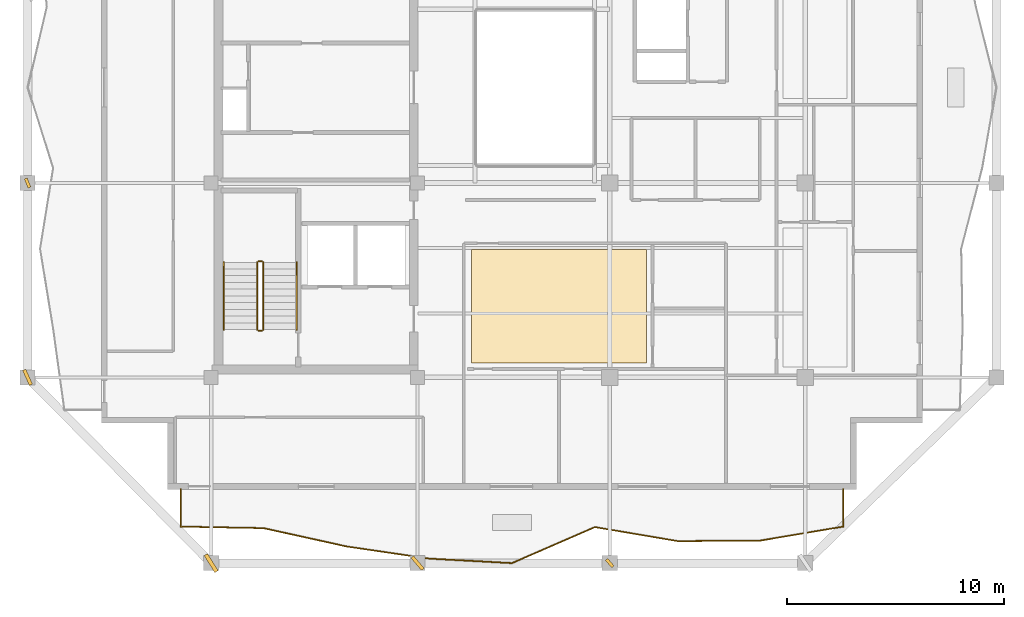
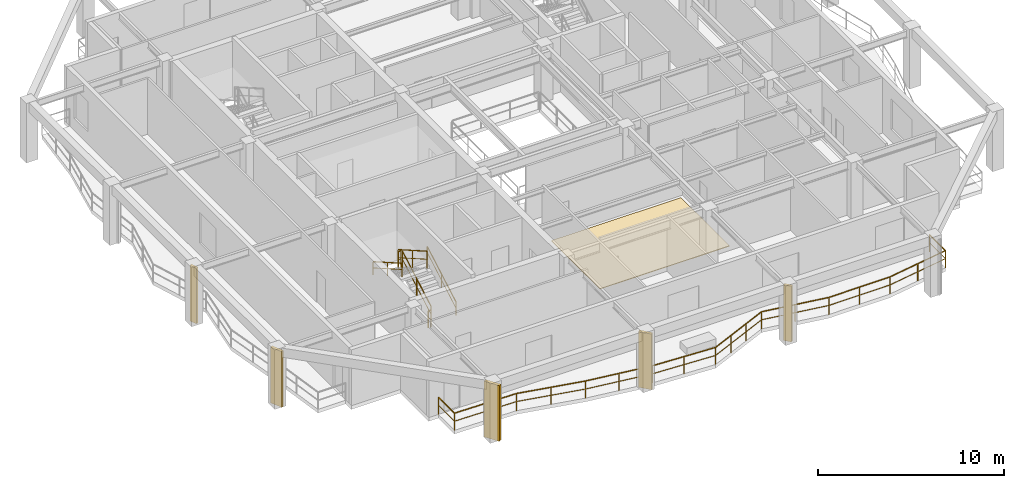
# One storey, part 7 of 10: 7 railings, 5 shading devices, 1 covering.
"""IFC4 building model written with IfcOpenShell, lengths in metres."""

from ifc_helpers import new_model, si_unit, direction, frame, origin, origin_2d, place, context, subcontext, project, spatial, polyline, rectangle, outline, extrude, material, layer, layer_set, type_object, element, save


model = new_model("IFC4")

# Units and contexts
model_context = context("Model", 3, precision=1e-05, world=origin(), true_north=direction((0.0, 1.0)))
body_context = subcontext(model_context, "Body", "Model", "MODEL_VIEW")
ifc_project = project(units=[si_unit("LENGTHUNIT", "METRE"), si_unit("AREAUNIT", "SQUARE_METRE"), si_unit("VOLUMEUNIT", "CUBIC_METRE"), si_unit("PLANEANGLEUNIT", "RADIAN"), si_unit("MASSUNIT", "GRAM", prefix="KILO")], contexts=[model_context])

# Site, building, storey
site_placement = place(None, origin())
site = spatial("IfcSite", under=ifc_project, at=site_placement, CompositionType="ELEMENT")
building_placement = place(site_placement, origin())
building = spatial("IfcBuilding", under=site, at=building_placement, Name="Kundavana Baori Tower", CompositionType="ELEMENT")
storey_placement = place(building_placement, frame((0.0, 0.0, 280.39990234375)))
storey = spatial("IfcBuildingStorey", under=building, at=storey_placement, Name="L69", CompositionType="ELEMENT", Elevation=280.39990234375)

# Covering
ifc_material_1 = material(Name="Honed Kota Stone and Terrazzo Flooring", Category="masonry")
ifc_layer = layer(ifc_material_1, 0.0400390625, Name="COV-FLR-TERR-40")
ifc_layer_set = layer_set([ifc_layer], Name="Honed Kota Stone and Terrazzo Flooring")
covering_type = type_object("IfcCoveringType", Name="COV-FLR-TERR-40", PredefinedType="FLOORING", material=ifc_layer_set)
covering_placement = place(storey_placement, origin())
element("IfcCovering", 1, at=covering_placement, inside=storey, type_object=covering_type, Name="L69 Room Finished Stone Flooring 1", PredefinedType="FLOORING", context=body_context, shape_type="SweptSolid", body=[
    extrude(outline(polyline([(27.43994140625, 15.919921875), (35.489990234375, 15.919921875), (35.489990234375, 21.139892578125), (27.43994140625, 21.139892578125), (27.43994140625, 15.919921875)])), origin(), (0.0, 0.0, 1.0), 0.0400390625),
])

# Railings
ifc_material_2 = material(Name="Architectural Patinated Bronze Metalwork")
railing_type_1 = type_object("IfcRailingType", Name="RL-BAL-1150", PredefinedType="BALUSTRADE", material=ifc_material_2)
railing_1_placement = place(storey_placement, frame((44.550048828125, 10.10009765625, 0.0)))
element("IfcRailing", 2, at=railing_1_placement, inside=storey, type_object=railing_type_1, Name="L69 Loggia Balcony Balustrade S", PredefinedType="BALUSTRADE", context=body_context, shape_type="SweptSolid", body=[
    extrude(rectangle(XDim=0.048095703125, YDim=0.048095703125, at=origin_2d()), frame((0.0, 0.0, 1.1259765625), z_axis=(0.0, -1.0, 0.0), x_axis=(1.0, 0.0, 0.0)), (0.0, 0.0, 1.0), 1.72021484375),
    extrude(rectangle(XDim=0.03125, YDim=0.03125, at=origin_2d()), frame((0.0, 0.0, 0.597900390625), z_axis=(0.0, -1.0, 0.0), x_axis=(1.0, 0.0, 0.0)), (0.0, 0.0, 1.0), 1.72021484375),
    extrude(rectangle(XDim=0.048095703125, YDim=0.048095703125, at=origin_2d()), frame((0.0, -1.72021484375, 1.1259765625), z_axis=(-0.986085045676, -0.166241639471, 0.0), x_axis=(0.166241639471, -0.986085045676, 0.0)), (0.0, 0.0, 1.0), 3.86669921875),
    extrude(rectangle(XDim=0.03125, YDim=0.03125, at=origin_2d()), frame((0.0, -1.72021484375, 0.597900390625), z_axis=(-0.986085045676, -0.166241639471, 0.0), x_axis=(0.166241639471, -0.986085045676, 0.0)), (0.0, 0.0, 1.0), 3.86669921875),
    extrude(rectangle(XDim=0.048095703125, YDim=0.048095703125, at=origin_2d()), frame((-3.81298828125, -2.363037109375, 1.1259765625), z_axis=(-0.999978242854, -0.006596500513, 0.0), x_axis=(0.006596500513, -0.999978242854, 0.0)), (0.0, 0.0, 1.0), 3.81201171875),
    extrude(rectangle(XDim=0.03125, YDim=0.03125, at=origin_2d()), frame((-3.81298828125, -2.363037109375, 0.597900390625), z_axis=(-0.999978242854, -0.006596500513, 0.0), x_axis=(0.006596500513, -0.999978242854, 0.0)), (0.0, 0.0, 1.0), 3.81201171875),
    extrude(rectangle(XDim=0.048095703125, YDim=0.048095703125, at=origin_2d()), frame((-7.625, -2.38818359375, 1.1259765625), z_axis=(-0.985908573914, 0.167285037833, 0.0), x_axis=(-0.167285037833, -0.985908573914, 0.0)), (0.0, 0.0, 1.0), 3.867431640625),
    extrude(rectangle(XDim=0.03125, YDim=0.03125, at=origin_2d()), frame((-7.625, -2.38818359375, 0.597900390625), z_axis=(-0.985908573914, 0.167285037833, 0.0), x_axis=(-0.167285037833, -0.985908573914, 0.0)), (0.0, 0.0, 1.0), 3.867431640625),
    extrude(rectangle(XDim=0.048095703125, YDim=0.048095703125, at=origin_2d()), frame((-11.43798828125, -1.7412109375, 1.1259765625), z_axis=(-0.916934627434, -0.399037453145, 0.0), x_axis=(0.399037453145, -0.916934627434, 0.0)), (0.0, 0.0, 1.0), 4.1572265625),
    extrude(rectangle(XDim=0.03125, YDim=0.03125, at=origin_2d()), frame((-11.43798828125, -1.7412109375, 0.597900390625), z_axis=(-0.916934627434, -0.399037453145, 0.0), x_axis=(0.399037453145, -0.916934627434, 0.0)), (0.0, 0.0, 1.0), 4.1572265625),
    extrude(rectangle(XDim=0.048095703125, YDim=0.048095703125, at=origin_2d()), frame((-15.25, -3.400146484375, 1.1259765625), z_axis=(-0.998529205788, 0.054216466033, 0.0), x_axis=(-0.054216466033, -0.998529205788, 0.0)), (0.0, 0.0, 1.0), 3.818603515625),
    extrude(rectangle(XDim=0.03125, YDim=0.03125, at=origin_2d()), frame((-15.25, -3.400146484375, 0.597900390625), z_axis=(-0.998529205788, 0.054216466033, 0.0), x_axis=(-0.054216466033, -0.998529205788, 0.0)), (0.0, 0.0, 1.0), 3.818603515625),
    extrude(rectangle(XDim=0.048095703125, YDim=0.048095703125, at=origin_2d()), frame((-19.06298828125, -3.193115234375, 1.1259765625), z_axis=(-0.989342496908, 0.145607087095, 0.0), x_axis=(-0.145607087095, -0.989342496908, 0.0)), (0.0, 0.0, 1.0), 3.85302734375),
    extrude(rectangle(XDim=0.03125, YDim=0.03125, at=origin_2d()), frame((-19.06298828125, -3.193115234375, 0.597900390625), z_axis=(-0.989342496908, 0.145607087095, 0.0), x_axis=(-0.145607087095, -0.989342496908, 0.0)), (0.0, 0.0, 1.0), 3.85302734375),
    extrude(rectangle(XDim=0.048095703125, YDim=0.048095703125, at=origin_2d()), frame((-22.875, -2.632080078125, 1.1259765625), z_axis=(-0.976514099207, 0.215453507863, 0.0), x_axis=(-0.215453507863, -0.976514099207, 0.0)), (0.0, 0.0, 1.0), 3.90380859375),
    extrude(rectangle(XDim=0.03125, YDim=0.03125, at=origin_2d()), frame((-22.875, -2.632080078125, 0.597900390625), z_axis=(-0.976514099207, 0.215453507863, 0.0), x_axis=(-0.215453507863, -0.976514099207, 0.0)), (0.0, 0.0, 1.0), 3.90380859375),
    extrude(rectangle(XDim=0.048095703125, YDim=0.048095703125, at=origin_2d()), frame((-26.68701171875, -1.791015625, 1.1259765625), z_axis=(-0.999827653337, 0.018565118419, 0.0), x_axis=(-0.018565118419, -0.999827653337, 0.0)), (0.0, 0.0, 1.0), 3.813720703125),
    extrude(rectangle(XDim=0.03125, YDim=0.03125, at=origin_2d()), frame((-26.68701171875, -1.791015625, 0.597900390625), z_axis=(-0.999827653337, 0.018565118419, 0.0), x_axis=(-0.018565118419, -0.999827653337, 0.0)), (0.0, 0.0, 1.0), 3.813720703125),
    extrude(rectangle(XDim=0.048095703125, YDim=0.048095703125, at=origin_2d()), frame((-30.5, -1.72021484375, 1.1259765625), z_axis=(0.0, 1.0, 0.0), x_axis=(-1.0, 0.0, 0.0)), (0.0, 0.0, 1.0), 1.72021484375),
    extrude(rectangle(XDim=0.03125, YDim=0.03125, at=origin_2d()), frame((-30.5, -1.72021484375, 0.597900390625), z_axis=(0.0, 1.0, 0.0), x_axis=(-1.0, 0.0, 0.0)), (0.0, 0.0, 1.0), 1.72021484375),
    extrude(rectangle(XDim=0.0419921875, YDim=0.0419921875, at=origin_2d()), origin(), (0.0, 0.0, 1.0), 1.101806640625),
    extrude(rectangle(XDim=0.0419921875, YDim=0.0419921875, at=origin_2d()), frame((0.0, -1.72021484375, 0.0)), (0.0, 0.0, 1.0), 1.101806640625),
    extrude(rectangle(XDim=0.0419921875, YDim=0.0419921875, at=origin_2d()), frame((-1.906494140625, -2.04150390625, 0.0)), (0.0, 0.0, 1.0), 1.101806640625),
    extrude(rectangle(XDim=0.0419921875, YDim=0.0419921875, at=origin_2d()), frame((-3.81298828125, -2.363037109375, 0.0)), (0.0, 0.0, 1.0), 1.101806640625),
    extrude(rectangle(XDim=0.0419921875, YDim=0.0419921875, at=origin_2d()), frame((-5.718994140625, -2.37548828125, 0.0)), (0.0, 0.0, 1.0), 1.101806640625),
    extrude(rectangle(XDim=0.0419921875, YDim=0.0419921875, at=origin_2d()), frame((-7.625, -2.38818359375, 0.0)), (0.0, 0.0, 1.0), 1.101806640625),
    extrude(rectangle(XDim=0.0419921875, YDim=0.0419921875, at=origin_2d()), frame((-9.531494140625, -2.064697265625, 0.0)), (0.0, 0.0, 1.0), 1.101806640625),
    extrude(rectangle(XDim=0.0419921875, YDim=0.0419921875, at=origin_2d()), frame((-11.43798828125, -1.7412109375, 0.0)), (0.0, 0.0, 1.0), 1.101806640625),
    extrude(rectangle(XDim=0.0419921875, YDim=0.0419921875, at=origin_2d()), frame((-12.708740234375, -2.294189453125, 0.0)), (0.0, 0.0, 1.0), 1.101806640625),
    extrude(rectangle(XDim=0.0419921875, YDim=0.0419921875, at=origin_2d()), frame((-13.979248046875, -2.84716796875, 0.0)), (0.0, 0.0, 1.0), 1.101806640625),
    extrude(rectangle(XDim=0.0419921875, YDim=0.0419921875, at=origin_2d()), frame((-15.25, -3.400146484375, 0.0)), (0.0, 0.0, 1.0), 1.101806640625),
    extrude(rectangle(XDim=0.0419921875, YDim=0.0419921875, at=origin_2d()), frame((-17.156494140625, -3.296630859375, 0.0)), (0.0, 0.0, 1.0), 1.101806640625),
    extrude(rectangle(XDim=0.0419921875, YDim=0.0419921875, at=origin_2d()), frame((-19.06298828125, -3.193115234375, 0.0)), (0.0, 0.0, 1.0), 1.101806640625),
    extrude(rectangle(XDim=0.0419921875, YDim=0.0419921875, at=origin_2d()), frame((-20.968994140625, -2.91259765625, 0.0)), (0.0, 0.0, 1.0), 1.101806640625),
    extrude(rectangle(XDim=0.0419921875, YDim=0.0419921875, at=origin_2d()), frame((-22.875, -2.632080078125, 0.0)), (0.0, 0.0, 1.0), 1.101806640625),
    extrude(rectangle(XDim=0.0419921875, YDim=0.0419921875, at=origin_2d()), frame((-24.781005859375, -2.21142578125, 0.0)), (0.0, 0.0, 1.0), 1.101806640625),
    extrude(rectangle(XDim=0.0419921875, YDim=0.0419921875, at=origin_2d()), frame((-26.68701171875, -1.791015625, 0.0)), (0.0, 0.0, 1.0), 1.101806640625),
    extrude(rectangle(XDim=0.0419921875, YDim=0.0419921875, at=origin_2d()), frame((-28.593505859375, -1.755615234375, 0.0)), (0.0, 0.0, 1.0), 1.101806640625),
    extrude(rectangle(XDim=0.0419921875, YDim=0.0419921875, at=origin_2d()), frame((-30.5, -1.72021484375, 0.0)), (0.0, 0.0, 1.0), 1.101806640625),
    extrude(rectangle(XDim=0.0419921875, YDim=0.0419921875, at=origin_2d()), frame((-30.5, 0.0, 0.0)), (0.0, 0.0, 1.0), 1.101806640625),
])
ifc_material_3 = material(Name="Architectural Patinated Bronze Metalwork")
railing_type_2 = type_object("IfcRailingType", Name="RL-GRD-1150", PredefinedType="GUARDRAIL", material=ifc_material_3)
railing_2_placement = place(storey_placement, frame((17.840087890625, 17.449951171875, 0.177490234375)))
element("IfcRailing", 3, at=railing_2_placement, inside=storey, type_object=railing_type_2, Name="L69 ST1 stair guard 1", PredefinedType="GUARDRAIL", context=body_context, shape_type="SweptSolid", body=[
    extrude(rectangle(XDim=0.048095703125, YDim=0.048095703125, at=origin_2d()), frame((0.0, 0.0, 1.1259765625), z_axis=(0.0, 0.868095856688, 0.496396599103), x_axis=(-1.0, 0.0, 0.0)), (0.0, 0.0, 1.0), 3.571044921875),
    extrude(rectangle(XDim=0.03125, YDim=0.03125, at=origin_2d()), frame((0.0, 0.0, 0.597900390625), z_axis=(0.0, 0.868095856688, 0.496396599103), x_axis=(-1.0, 0.0, 0.0)), (0.0, 0.0, 1.0), 3.571044921875),
    extrude(rectangle(XDim=0.0419921875, YDim=0.0419921875, at=origin_2d()), origin(), (0.0, 0.0, 1.0), 1.101806640625),
    extrude(rectangle(XDim=0.0419921875, YDim=0.0419921875, at=origin_2d()), frame((0.0, 1.550048828125, 0.88623046875)), (0.0, 0.0, 1.0), 1.101806640625),
    extrude(rectangle(XDim=0.0419921875, YDim=0.0419921875, at=origin_2d()), frame((0.0, 3.10009765625, 1.772705078125)), (0.0, 0.0, 1.0), 1.101806640625),
])
railing_3_placement = place(storey_placement, frame((17.7900390625, 20.60009765625, 1.9501953125)))
element("IfcRailing", 4, at=railing_3_placement, inside=storey, type_object=railing_type_2, Name="L69 ST1 stair guard 2", PredefinedType="GUARDRAIL", context=body_context, shape_type="SweptSolid", body=[
    extrude(rectangle(XDim=0.048095703125, YDim=0.048095703125, at=origin_2d()), frame((0.0, 0.0, 1.1259765625), z_axis=(-1.0, 0.0, 0.0), x_axis=(0.0, -1.0, 0.0)), (0.0, 0.0, 1.0), 0.16015625),
    extrude(rectangle(XDim=0.03125, YDim=0.03125, at=origin_2d()), frame((0.0, 0.0, 0.597900390625), z_axis=(-1.0, 0.0, 0.0), x_axis=(0.0, -1.0, 0.0)), (0.0, 0.0, 1.0), 0.16015625),
    extrude(rectangle(XDim=0.0419921875, YDim=0.0419921875, at=origin_2d()), origin(), (0.0, 0.0, 1.0), 1.101806640625),
    extrude(rectangle(XDim=0.0419921875, YDim=0.0419921875, at=origin_2d()), frame((-0.16015625, 0.0, 0.0)), (0.0, 0.0, 1.0), 1.101806640625),
])
railing_4_placement = place(storey_placement, frame((17.580078125, 20.550048828125, 2.12744140625)))
element("IfcRailing", 5, at=railing_4_placement, inside=storey, type_object=railing_type_2, Name="L69 ST1 stair guard 3", PredefinedType="GUARDRAIL", context=body_context, shape_type="SweptSolid", body=[
    extrude(rectangle(XDim=0.048095703125, YDim=0.048095703125, at=origin_2d()), frame((0.0, 0.0, 1.1259765625), z_axis=(0.0, -0.868095856688, 0.496396599103), x_axis=(1.0, 0.0, 0.0)), (0.0, 0.0, 1.0), 3.571044921875),
    extrude(rectangle(XDim=0.03125, YDim=0.03125, at=origin_2d()), frame((0.0, 0.0, 0.597900390625), z_axis=(0.0, -0.868095856688, 0.496396599103), x_axis=(1.0, 0.0, 0.0)), (0.0, 0.0, 1.0), 3.571044921875),
    extrude(rectangle(XDim=0.0419921875, YDim=0.0419921875, at=origin_2d()), origin(), (0.0, 0.0, 1.0), 1.101806640625),
    extrude(rectangle(XDim=0.0419921875, YDim=0.0419921875, at=origin_2d()), frame((0.0, -1.550048828125, 0.88623046875)), (0.0, 0.0, 1.0), 1.101806640625),
    extrude(rectangle(XDim=0.0419921875, YDim=0.0419921875, at=origin_2d()), frame((0.0, -3.10009765625, 1.772705078125)), (0.0, 0.0, 1.0), 1.101806640625),
])
railing_5_placement = place(storey_placement, frame((17.7900390625, 17.39990234375, 0.0)))
element("IfcRailing", 6, at=railing_5_placement, inside=storey, type_object=railing_type_2, Name="L69 ST1 stair guard 4", PredefinedType="GUARDRAIL", context=body_context, shape_type="SweptSolid", body=[
    extrude(rectangle(XDim=0.048095703125, YDim=0.048095703125, at=origin_2d()), frame((0.0, 0.0, 1.1259765625), z_axis=(-1.0, 0.0, 0.0), x_axis=(0.0, -1.0, 0.0)), (0.0, 0.0, 1.0), 0.16015625),
    extrude(rectangle(XDim=0.03125, YDim=0.03125, at=origin_2d()), frame((0.0, 0.0, 0.597900390625), z_axis=(-1.0, 0.0, 0.0), x_axis=(0.0, -1.0, 0.0)), (0.0, 0.0, 1.0), 0.16015625),
    extrude(rectangle(XDim=0.0419921875, YDim=0.0419921875, at=origin_2d()), origin(), (0.0, 0.0, 1.0), 1.101806640625),
    extrude(rectangle(XDim=0.0419921875, YDim=0.0419921875, at=origin_2d()), frame((-0.16015625, 0.0, 0.0)), (0.0, 0.0, 1.0), 1.101806640625),
])
ifc_material_4 = material(Name="Architectural Patinated Bronze Metalwork")
railing_type_3 = type_object("IfcRailingType", Name="RL-HND-920", PredefinedType="HANDRAIL", material=ifc_material_4)
railing_6_placement = place(storey_placement, frame((19.389892578125, 17.449951171875, 0.177490234375)))
element("IfcRailing", 7, at=railing_6_placement, inside=storey, type_object=railing_type_3, Name="L69 ST1 stair handrail 1", PredefinedType="HANDRAIL", context=body_context, shape_type="SweptSolid", body=[
    extrude(rectangle(XDim=0.048095703125, YDim=0.048095703125, at=origin_2d()), frame((0.0, 0.0, 0.8759765625), z_axis=(0.0, 0.868095856688, 0.496396599103), x_axis=(-1.0, 0.0, 0.0)), (0.0, 0.0, 1.0), 3.571044921875),
    extrude(rectangle(XDim=0.03125, YDim=0.03125, at=origin_2d()), frame((0.0, 0.0, 0.468017578125), z_axis=(0.0, 0.868095856688, 0.496396599103), x_axis=(-1.0, 0.0, 0.0)), (0.0, 0.0, 1.0), 3.571044921875),
    extrude(rectangle(XDim=0.0419921875, YDim=0.0419921875, at=origin_2d()), origin(), (0.0, 0.0, 1.0), 0.851806640625),
    extrude(rectangle(XDim=0.0419921875, YDim=0.0419921875, at=origin_2d()), frame((0.0, 1.550048828125, 0.88623046875)), (0.0, 0.0, 1.0), 0.851806640625),
    extrude(rectangle(XDim=0.0419921875, YDim=0.0419921875, at=origin_2d()), frame((0.0, 3.10009765625, 1.772705078125)), (0.0, 0.0, 1.0), 0.851806640625),
])
railing_7_placement = place(storey_placement, frame((16.030029296875, 20.550048828125, 2.12744140625)))
element("IfcRailing", 8, at=railing_7_placement, inside=storey, type_object=railing_type_3, Name="L69 ST1 stair handrail 2", PredefinedType="HANDRAIL", context=body_context, shape_type="SweptSolid", body=[
    extrude(rectangle(XDim=0.048095703125, YDim=0.048095703125, at=origin_2d()), frame((0.0, 0.0, 0.8759765625), z_axis=(0.0, -0.868095856688, 0.496396599103), x_axis=(1.0, 0.0, 0.0)), (0.0, 0.0, 1.0), 3.571044921875),
    extrude(rectangle(XDim=0.03125, YDim=0.03125, at=origin_2d()), frame((0.0, 0.0, 0.468017578125), z_axis=(0.0, -0.868095856688, 0.496396599103), x_axis=(1.0, 0.0, 0.0)), (0.0, 0.0, 1.0), 3.571044921875),
    extrude(rectangle(XDim=0.0419921875, YDim=0.0419921875, at=origin_2d()), origin(), (0.0, 0.0, 1.0), 0.851806640625),
    extrude(rectangle(XDim=0.0419921875, YDim=0.0419921875, at=origin_2d()), frame((0.0, -1.550048828125, 0.88623046875)), (0.0, 0.0, 1.0), 0.851806640625),
    extrude(rectangle(XDim=0.0419921875, YDim=0.0419921875, at=origin_2d()), frame((0.0, -3.10009765625, 1.772705078125)), (0.0, 0.0, 1.0), 0.851806640625),
])

# Shading devices
ifc_material_5 = material(Name="Red-Buff Dholpur Sandstone Cladding on Concrete C40/50", Category="masonry")
shading_device_type_1 = type_object("IfcShadingDeviceType", Name="SHD-FIN-750", PredefinedType="JALOUSIE", material=ifc_material_5)
for number, where, z_axis, x_axis, name in (
    (9, (24.949951171875, 6.699951171875, 0.0), (0.0, 0.0, 1.0), (0.760292603951, 0.649580754315, 0.0), "L69 Sweeping Dholpur Sandstone Facade Fin 2"),
    (10, (7.0, 15.25, 0.0), (0.0, 0.0, 1.0), (0.911259575503, 0.411832473288, 0.0), "L69 Sweeping Dholpur Sandstone Facade Fin 5"),
):
    element("IfcShadingDevice", number, at=place(storey_placement, frame(where, z_axis=z_axis, x_axis=x_axis)), inside=storey, type_object=shading_device_type_1, Name=name, PredefinedType="JALOUSIE", context=body_context, shape_type="SweptSolid", body=[
        extrude(rectangle(XDim=0.159912109375, YDim=0.75, at=origin_2d()), origin(), (0.0, 0.0, 1.0), 3.659912109375),
    ])
ifc_material_6 = material(Name="Red-Buff Dholpur Sandstone Cladding on Concrete C40/50", Category="masonry")
shading_device_type_2 = type_object("IfcShadingDeviceType", Name="SHD-FIN-920", PredefinedType="JALOUSIE", material=ifc_material_6)
shading_device_placement = place(storey_placement, frame((15.449951171875, 6.699951171875, 0.0), z_axis=(0.0, 0.0, 1.0), x_axis=(0.846472063486, 0.53243313734, 0.0)))
element("IfcShadingDevice", 11, at=shading_device_placement, inside=storey, type_object=shading_device_type_2, Name="L69 Sweeping Dholpur Sandstone Facade Fin 1", PredefinedType="JALOUSIE", context=body_context, shape_type="SweptSolid", body=[
    extrude(rectangle(XDim=0.179931640625, YDim=0.919921875, at=origin_2d()), origin(), (0.0, 0.0, 1.0), 3.659912109375),
])
ifc_material_7 = material(Name="Architectural Patinated Bronze Metalwork")
shading_device_type_3 = type_object("IfcShadingDeviceType", Name="SHD-LOUV-450", PredefinedType="SHUTTER", material=ifc_material_7)
for number, where, z_axis, x_axis, name in (
    (12, (33.800048828125, 6.699951171875, 0.0), (0.0, 0.0, 1.0), (0.754480526445, 0.656322432357, 0.0), "L69 Sweeping Dholpur Sandstone Facade Fin 3"),
    (13, (7.0, 24.199951171875, 0.0), (0.0, 0.0, 1.0), (0.924146470781, 0.38203834957, 0.0), "L69 Sweeping Dholpur Sandstone Facade Fin 6"),
):
    element("IfcShadingDevice", number, at=place(storey_placement, frame(where, z_axis=z_axis, x_axis=x_axis)), inside=storey, type_object=shading_device_type_3, Name=name, PredefinedType="SHUTTER", context=body_context, shape_type="SweptSolid", body=[
        extrude(rectangle(XDim=0.139892578125, YDim=0.449951171875, at=origin_2d()), origin(), (0.0, 0.0, 1.0), 3.659912109375),
    ])

save(model, "model.ifc")
